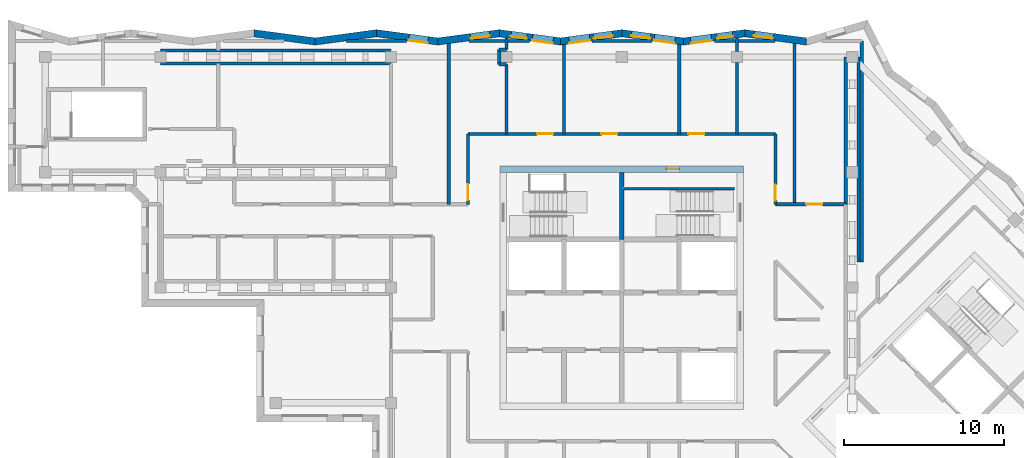
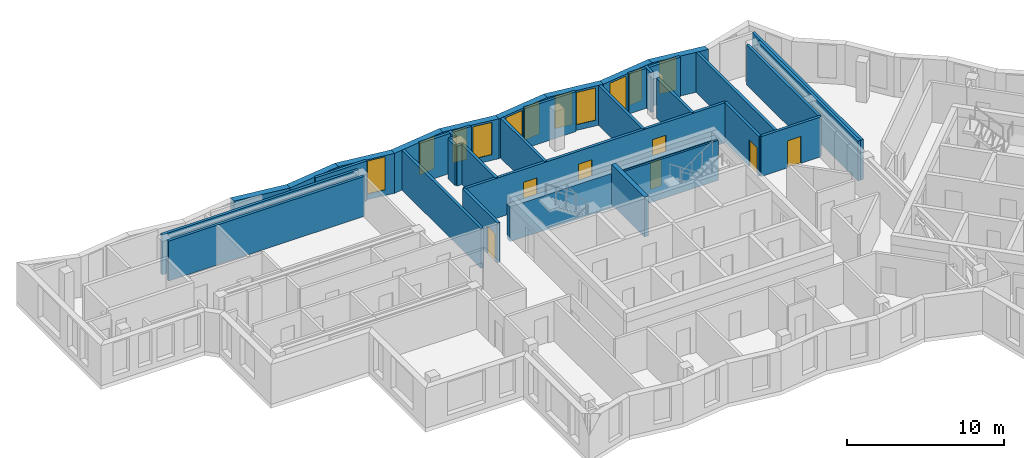
# One storey, part 7 of 12: 36 walls, 11 windows, 7 doors, 18 openings.
"""IFC4 building model written with IfcOpenShell, lengths in metres."""

from ifc_helpers import new_model, si_unit, direction, frame, frame_2d, origin, place, context, subcontext, project, spatial, polyline, rectangle, outline, extrude, material, layer, layer_set, type_object, element, fill, save


model = new_model("IFC4")

# Units and contexts
model_context = context("Model", 3, precision=1e-05, world=origin(), true_north=direction((0.0, 1.0)))
body_context = subcontext(model_context, "Body", "Model", "MODEL_VIEW")
ifc_project = project(units=[si_unit("LENGTHUNIT", "METRE"), si_unit("AREAUNIT", "SQUARE_METRE"), si_unit("VOLUMEUNIT", "CUBIC_METRE"), si_unit("PLANEANGLEUNIT", "RADIAN"), si_unit("MASSUNIT", "GRAM", prefix="KILO")], contexts=[model_context])

# Site, building, storey
site_placement = place(None, origin())
site = spatial("IfcSite", under=ifc_project, at=site_placement, CompositionType="ELEMENT")
building_placement = place(site_placement, origin())
building = spatial("IfcBuilding", under=site, at=building_placement, Name="Windrow Commons", CompositionType="ELEMENT")
storey_placement = place(building_placement, frame((0.0, 0.0, 267.6)))
storey = spatial("IfcBuildingStorey", under=building, at=storey_placement, Name="L73", CompositionType="ELEMENT", Elevation=267.6)

# Wall, opening, window
ifc_material_1 = material(Name="Brick masonry, red clay brick", Category="masonry")
ifc_layer_1 = layer(ifc_material_1, 0.45)
ifc_layer_set_1 = layer_set([ifc_layer_1], Name="Brick facade wall 450")
wall_type_1 = type_object("IfcWallType", Name="Brick facade wall 450", PredefinedType="SOLIDWALL", material=ifc_layer_set_1)
wall_1_placement = place(storey_placement, frame((76.3413, 72.9707, 0.0), z_axis=(0.0, 0.0, 1.0), x_axis=(-0.991198426, 0.1323845925, 0.0)))
wall_1 = element("IfcWall", 1, at=wall_1_placement, inside=storey, type_object=wall_type_1, Name="Brick facade wall L73 18", PredefinedType="SOLIDWALL", context=body_context, shape_type="SweptSolid", body=[
    extrude(outline(polyline([(0.0474, -0.225), (3.915, -0.225), (3.8549, 0.225), (-0.0474, 0.225), (0.0474, -0.225)])), origin(), (0.0, 0.0, 1.0), 3.1),
])
opening_1_placement = place(wall_1_placement, frame((2.1014, 0.0, 0.45)))
opening_1 = element("IfcOpeningElement", 2, at=opening_1_placement, cuts=wall_1, Name="Opening W7F", PredefinedType="OPENING", context=body_context, shape_type="SweptSolid", body=[
    extrude(rectangle(XDim=1.2, YDim=2.55, at=frame_2d((0.6, 1.275))), frame((0.0, 0.235, 0.0), z_axis=(0.0, -1.0, 0.0), x_axis=(1.0, 0.0, 0.0)), (0.0, 0.0, 1.0), 0.47),
])
ifc_material_2 = material(Name="Clear float glass in anodised aluminium frame", Category="aluminium")
window_type_1 = type_object("IfcWindowType", Name="Window W7 notch 1200x2550", PartitioningType="SINGLE_PANEL", PredefinedType="WINDOW", material=ifc_material_2)
window_1_placement = place(opening_1_placement, origin())
window_1 = element("IfcWindow", 3, at=window_1_placement, inside=storey, type_object=window_type_1, Name="Window L73 18.1", OverallHeight=2.55, OverallWidth=1.2, PartitioningType="SINGLE_PANEL", PredefinedType="WINDOW", context=body_context, shape_type="SweptSolid", body=[
    extrude(rectangle(XDim=1.2, YDim=2.55, at=frame_2d((0.6, 1.275))), frame((0.0, 0.115, 0.0), z_axis=(0.0, -1.0, 0.0), x_axis=(1.0, 0.0, 0.0)), (0.0, 0.0, 1.0), 0.06),
])
fill(opening_1, window_1)

# Wall, openings, windows
wall_2_placement = place(storey_placement, frame((72.4906, 73.485, 0.0), z_axis=(0.0, 0.0, 1.0), x_axis=(-0.9911985198, -0.13238389, 0.0)))
wall_2 = element("IfcWall", 4, at=wall_2_placement, inside=storey, type_object=wall_type_1, Name="Brick facade wall L73 19", PredefinedType="SOLIDWALL", context=body_context, shape_type="SweptSolid", body=[
    extrude(outline(polyline([(-0.0301, -0.225), (3.8375, -0.225), (3.8976, 0.225), (0.0301, 0.225), (-0.0301, -0.225)])), origin(), (0.0, 0.0, 1.0), 3.1),
])
opening_2_placement = place(wall_2_placement, frame((0.7554, 0.0, 0.45)))
opening_2 = element("IfcOpeningElement", 5, at=opening_2_placement, cuts=wall_2, Name="Opening W1S", PredefinedType="OPENING", context=body_context, shape_type="SweptSolid", body=[
    extrude(rectangle(XDim=1.0, YDim=2.5, at=frame_2d((0.5, 1.25))), frame((0.0, 0.235, 0.0), z_axis=(0.0, -1.0, 0.0), x_axis=(1.0, 0.0, 0.0)), (0.0, 0.0, 1.0), 0.47),
])
opening_3_placement = place(wall_2_placement, frame((2.1054, 0.0, 0.45)))
opening_3 = element("IfcOpeningElement", 6, at=opening_3_placement, cuts=wall_2, Name="Opening W1Q", PredefinedType="OPENING", context=body_context, shape_type="SweptSolid", body=[
    extrude(rectangle(XDim=1.3, YDim=2.5, at=frame_2d((0.65, 1.25))), frame((0.0, 0.235, 0.0), z_axis=(0.0, -1.0, 0.0), x_axis=(1.0, 0.0, 0.0)), (0.0, 0.0, 1.0), 0.47),
])
ifc_material_3 = material(Name="Clear float glass in anodised aluminium frame", Category="aluminium")
window_type_2 = type_object("IfcWindowType", Name="Window W1Q pair 1300x2500", PartitioningType="SINGLE_PANEL", PredefinedType="WINDOW", material=ifc_material_3)
window_2_placement = place(opening_3_placement, origin())
window_2 = element("IfcWindow", 7, at=window_2_placement, inside=storey, type_object=window_type_2, Name="Window L73 19.1B", OverallHeight=2.5, OverallWidth=1.3, PartitioningType="SINGLE_PANEL", PredefinedType="WINDOW", context=body_context, shape_type="SweptSolid", body=[
    extrude(rectangle(XDim=1.3, YDim=2.5, at=frame_2d((0.65, 1.25))), frame((0.0, 0.205, 0.0), z_axis=(0.0, -1.0, 0.0), x_axis=(1.0, 0.0, 0.0)), (0.0, 0.0, 1.0), 0.06),
])
fill(opening_3, window_2)
ifc_material_4 = material(Name="Clear float glass in anodised aluminium frame", Category="aluminium")
window_type_3 = type_object("IfcWindowType", Name="Window W1S slit 1000x2500", PartitioningType="SINGLE_PANEL", PredefinedType="WINDOW", material=ifc_material_4)
window_3_placement = place(opening_2_placement, origin())
window_3 = element("IfcWindow", 8, at=window_3_placement, inside=storey, type_object=window_type_3, Name="Window L73 19.1A", OverallHeight=2.5, OverallWidth=1.0, PartitioningType="SINGLE_PANEL", PredefinedType="WINDOW", context=body_context, shape_type="SweptSolid", body=[
    extrude(rectangle(XDim=1.0, YDim=2.5, at=frame_2d((0.5, 1.25))), frame((0.0, 0.115, 0.0), z_axis=(0.0, -1.0, 0.0), x_axis=(1.0, 0.0, 0.0)), (0.0, 0.0, 1.0), 0.06),
])
fill(opening_2, window_3)

wall_3_placement = place(storey_placement, frame((68.6571, 72.973, 0.0), z_axis=(0.0, 0.0, 1.0), x_axis=(-0.9911989729, 0.1323804972, 0.0)))
wall_3 = element("IfcWall", 9, at=wall_3_placement, inside=storey, type_object=wall_type_1, Name="Brick facade wall L73 20", PredefinedType="SOLIDWALL", context=body_context, shape_type="SweptSolid", body=[
    extrude(outline(polyline([(0.0301, -0.225), (3.8976, -0.225), (3.8375, 0.225), (-0.0301, 0.225), (0.0301, -0.225)])), origin(), (0.0, 0.0, 1.0), 3.1),
])
opening_4_placement = place(wall_3_placement, frame((0.5285, 0.0, 0.45)))
opening_4 = element("IfcOpeningElement", 10, at=opening_4_placement, cuts=wall_3, Name="Opening W1Q", PredefinedType="OPENING", context=body_context, shape_type="SweptSolid", body=[
    extrude(rectangle(XDim=1.3, YDim=2.5, at=frame_2d((0.65, 1.25))), frame((0.0, 0.235, 0.0), z_axis=(0.0, -1.0, 0.0), x_axis=(1.0, 0.0, 0.0)), (0.0, 0.0, 1.0), 0.47),
])
opening_5_placement = place(wall_3_placement, frame((2.0785, 0.0, 0.45)))
opening_5 = element("IfcOpeningElement", 11, at=opening_5_placement, cuts=wall_3, Name="Opening W7F", PredefinedType="OPENING", context=body_context, shape_type="SweptSolid", body=[
    extrude(rectangle(XDim=1.2, YDim=2.55, at=frame_2d((0.6, 1.275))), frame((0.0, 0.235, 0.0), z_axis=(0.0, -1.0, 0.0), x_axis=(1.0, 0.0, 0.0)), (0.0, 0.0, 1.0), 0.47),
])
window_4_placement = place(opening_4_placement, origin())
window_4 = element("IfcWindow", 12, at=window_4_placement, inside=storey, type_object=window_type_2, Name="Window L73 20.1A", OverallHeight=2.5, OverallWidth=1.3, PartitioningType="SINGLE_PANEL", PredefinedType="WINDOW", context=body_context, shape_type="SweptSolid", body=[
    extrude(rectangle(XDim=1.3, YDim=2.5, at=frame_2d((0.65, 1.25))), frame((0.0, 0.205, 0.0), z_axis=(0.0, -1.0, 0.0), x_axis=(1.0, 0.0, 0.0)), (0.0, 0.0, 1.0), 0.06),
])
fill(opening_4, window_4)
window_5_placement = place(opening_5_placement, origin())
window_5 = element("IfcWindow", 13, at=window_5_placement, inside=storey, type_object=window_type_1, Name="Window L73 20.1B", OverallHeight=2.55, OverallWidth=1.2, PartitioningType="SINGLE_PANEL", PredefinedType="WINDOW", context=body_context, shape_type="SweptSolid", body=[
    extrude(rectangle(XDim=1.2, YDim=2.55, at=frame_2d((0.6, 1.275))), frame((0.0, 0.115, 0.0), z_axis=(0.0, -1.0, 0.0), x_axis=(1.0, 0.0, 0.0)), (0.0, 0.0, 1.0), 0.06),
])
fill(opening_5, window_5)

wall_4_placement = place(storey_placement, frame((64.8235, 73.485, 0.0), z_axis=(0.0, 0.0, 1.0), x_axis=(-0.9911985198, -0.13238389, 0.0)))
wall_4 = element("IfcWall", 14, at=wall_4_placement, inside=storey, type_object=wall_type_1, Name="Brick facade wall L73 21", PredefinedType="SOLIDWALL", context=body_context, shape_type="SweptSolid", body=[
    extrude(outline(polyline([(-0.0301, -0.225), (3.8375, -0.225), (3.8976, 0.225), (0.0301, 0.225), (-0.0301, -0.225)])), origin(), (0.0, 0.0, 1.0), 3.1),
])
opening_6_placement = place(wall_4_placement, frame((0.5891, 0.0, 0.45)))
opening_6 = element("IfcOpeningElement", 15, at=opening_6_placement, cuts=wall_4, Name="Opening W7F", PredefinedType="OPENING", context=body_context, shape_type="SweptSolid", body=[
    extrude(rectangle(XDim=1.2, YDim=2.55, at=frame_2d((0.6, 1.275))), frame((0.0, 0.235, 0.0), z_axis=(0.0, -1.0, 0.0), x_axis=(1.0, 0.0, 0.0)), (0.0, 0.0, 1.0), 0.47),
])
opening_7_placement = place(wall_4_placement, frame((2.0391, 0.0, 0.45)))
opening_7 = element("IfcOpeningElement", 16, at=opening_7_placement, cuts=wall_4, Name="Opening W1Q", PredefinedType="OPENING", context=body_context, shape_type="SweptSolid", body=[
    extrude(rectangle(XDim=1.3, YDim=2.5, at=frame_2d((0.65, 1.25))), frame((0.0, 0.235, 0.0), z_axis=(0.0, -1.0, 0.0), x_axis=(1.0, 0.0, 0.0)), (0.0, 0.0, 1.0), 0.47),
])
window_6_placement = place(opening_7_placement, origin())
window_6 = element("IfcWindow", 17, at=window_6_placement, inside=storey, type_object=window_type_2, Name="Window L73 21.1B", OverallHeight=2.5, OverallWidth=1.3, PartitioningType="SINGLE_PANEL", PredefinedType="WINDOW", context=body_context, shape_type="SweptSolid", body=[
    extrude(rectangle(XDim=1.3, YDim=2.5, at=frame_2d((0.65, 1.25))), frame((0.0, 0.205, 0.0), z_axis=(0.0, -1.0, 0.0), x_axis=(1.0, 0.0, 0.0)), (0.0, 0.0, 1.0), 0.06),
])
fill(opening_7, window_6)
window_7_placement = place(opening_6_placement, origin())
window_7 = element("IfcWindow", 18, at=window_7_placement, inside=storey, type_object=window_type_1, Name="Window L73 21.1A", OverallHeight=2.55, OverallWidth=1.2, PartitioningType="SINGLE_PANEL", PredefinedType="WINDOW", context=body_context, shape_type="SweptSolid", body=[
    extrude(rectangle(XDim=1.2, YDim=2.55, at=frame_2d((0.6, 1.275))), frame((0.0, 0.115, 0.0), z_axis=(0.0, -1.0, 0.0), x_axis=(1.0, 0.0, 0.0)), (0.0, 0.0, 1.0), 0.06),
])
fill(opening_6, window_7)

wall_5_placement = place(storey_placement, frame((60.99, 72.973, 0.0), z_axis=(0.0, 0.0, 1.0), x_axis=(-0.9911989729, 0.1323804972, 0.0)))
wall_5 = element("IfcWall", 19, at=wall_5_placement, inside=storey, type_object=wall_type_1, Name="Brick facade wall L73 22", PredefinedType="SOLIDWALL", context=body_context, shape_type="SweptSolid", body=[
    extrude(outline(polyline([(0.0301, -0.225), (3.8976, -0.225), (3.8375, 0.225), (-0.0301, 0.225), (0.0301, -0.225)])), origin(), (0.0, 0.0, 1.0), 3.1),
])
opening_8_placement = place(wall_5_placement, frame((0.4741, 0.0, 0.45)))
opening_8 = element("IfcOpeningElement", 20, at=opening_8_placement, cuts=wall_5, Name="Opening W1Q", PredefinedType="OPENING", context=body_context, shape_type="SweptSolid", body=[
    extrude(rectangle(XDim=1.3, YDim=2.5, at=frame_2d((0.65, 1.25))), frame((0.0, 0.235, 0.0), z_axis=(0.0, -1.0, 0.0), x_axis=(1.0, 0.0, 0.0)), (0.0, 0.0, 1.0), 0.47),
])
opening_9_placement = place(wall_5_placement, frame((2.1241, 0.0, 0.45)))
opening_9 = element("IfcOpeningElement", 21, at=opening_9_placement, cuts=wall_5, Name="Opening W1S", PredefinedType="OPENING", context=body_context, shape_type="SweptSolid", body=[
    extrude(rectangle(XDim=1.0, YDim=2.5, at=frame_2d((0.5, 1.25))), frame((0.0, 0.235, 0.0), z_axis=(0.0, -1.0, 0.0), x_axis=(1.0, 0.0, 0.0)), (0.0, 0.0, 1.0), 0.47),
])
window_8_placement = place(opening_8_placement, origin())
window_8 = element("IfcWindow", 22, at=window_8_placement, inside=storey, type_object=window_type_2, Name="Window L73 22.1A", OverallHeight=2.5, OverallWidth=1.3, PartitioningType="SINGLE_PANEL", PredefinedType="WINDOW", context=body_context, shape_type="SweptSolid", body=[
    extrude(rectangle(XDim=1.3, YDim=2.5, at=frame_2d((0.65, 1.25))), frame((0.0, 0.205, 0.0), z_axis=(0.0, -1.0, 0.0), x_axis=(1.0, 0.0, 0.0)), (0.0, 0.0, 1.0), 0.06),
])
fill(opening_8, window_8)
window_9_placement = place(opening_9_placement, origin())
window_9 = element("IfcWindow", 23, at=window_9_placement, inside=storey, type_object=window_type_3, Name="Window L73 22.1B", OverallHeight=2.5, OverallWidth=1.0, PartitioningType="SINGLE_PANEL", PredefinedType="WINDOW", context=body_context, shape_type="SweptSolid", body=[
    extrude(rectangle(XDim=1.0, YDim=2.5, at=frame_2d((0.5, 1.25))), frame((0.0, 0.125, 0.0), z_axis=(0.0, -1.0, 0.0), x_axis=(1.0, 0.0, 0.0)), (0.0, 0.0, 1.0), 0.06),
])
fill(opening_9, window_9)

# Wall, opening, window
wall_6_placement = place(storey_placement, frame((57.1564, 73.485, 0.0), z_axis=(0.0, 0.0, 1.0), x_axis=(-0.9911985198, -0.13238389, 0.0)))
wall_6 = element("IfcWall", 24, at=wall_6_placement, inside=storey, type_object=wall_type_1, Name="Brick facade wall L73 23", PredefinedType="SOLIDWALL", context=body_context, shape_type="SweptSolid", body=[
    extrude(outline(polyline([(-0.0301, -0.225), (3.8375, -0.225), (3.8976, 0.225), (0.0301, 0.225), (-0.0301, -0.225)])), origin(), (0.0, 0.0, 1.0), 3.1),
])
opening_10_placement = place(wall_6_placement, frame((0.6072, 0.0, 0.45)))
opening_10 = element("IfcOpeningElement", 25, at=opening_10_placement, cuts=wall_6, Name="Opening W7F", PredefinedType="OPENING", context=body_context, shape_type="SweptSolid", body=[
    extrude(rectangle(XDim=1.2, YDim=2.55, at=frame_2d((0.6, 1.275))), frame((0.0, 0.235, 0.0), z_axis=(0.0, -1.0, 0.0), x_axis=(1.0, 0.0, 0.0)), (0.0, 0.0, 1.0), 0.47),
])
window_10_placement = place(opening_10_placement, origin())
window_10 = element("IfcWindow", 26, at=window_10_placement, inside=storey, type_object=window_type_1, Name="Window L73 23.1", OverallHeight=2.55, OverallWidth=1.2, PartitioningType="SINGLE_PANEL", PredefinedType="WINDOW", context=body_context, shape_type="SweptSolid", body=[
    extrude(rectangle(XDim=1.2, YDim=2.55, at=frame_2d((0.6, 1.275))), frame((0.0, 0.115, 0.0), z_axis=(0.0, -1.0, 0.0), x_axis=(1.0, 0.0, 0.0)), (0.0, 0.0, 1.0), 0.06),
])
fill(opening_10, window_10)

wall_7_placement = place(storey_placement, frame((53.3229, 72.973, 0.0), z_axis=(0.0, 0.0, 1.0), x_axis=(-0.9911989729, 0.1323804972, 0.0)))
wall_7 = element("IfcWall", 27, at=wall_7_placement, inside=storey, type_object=wall_type_1, Name="Brick facade wall L73 24", PredefinedType="SOLIDWALL", context=body_context, shape_type="SweptSolid", body=[
    extrude(outline(polyline([(0.0301, -0.225), (3.8976, -0.225), (3.8375, 0.225), (-0.0301, 0.225), (0.0301, -0.225)])), origin(), (0.0, 0.0, 1.0), 3.1),
])
opening_11_placement = place(wall_7_placement, frame((0.6244, 0.0, 0.45)))
opening_11 = element("IfcOpeningElement", 28, at=opening_11_placement, cuts=wall_7, Name="Opening W7F", PredefinedType="OPENING", context=body_context, shape_type="SweptSolid", body=[
    extrude(rectangle(XDim=1.2, YDim=2.55, at=frame_2d((0.6, 1.275))), frame((0.0, 0.235, 0.0), z_axis=(0.0, -1.0, 0.0), x_axis=(1.0, 0.0, 0.0)), (0.0, 0.0, 1.0), 0.47),
])
window_11_placement = place(opening_11_placement, origin())
window_11 = element("IfcWindow", 29, at=window_11_placement, inside=storey, type_object=window_type_1, Name="Window L73 24.1", OverallHeight=2.55, OverallWidth=1.2, PartitioningType="SINGLE_PANEL", PredefinedType="WINDOW", context=body_context, shape_type="SweptSolid", body=[
    extrude(rectangle(XDim=1.2, YDim=2.55, at=frame_2d((0.6, 1.275))), frame((0.0, 0.205, 0.0), z_axis=(0.0, -1.0, 0.0), x_axis=(1.0, 0.0, 0.0)), (0.0, 0.0, 1.0), 0.06),
])
fill(opening_11, window_11)

# Walls
wall_8_placement = place(storey_placement, frame((49.4893, 73.485, 0.0), z_axis=(0.0, 0.0, 1.0), x_axis=(-0.9911985198, -0.13238389, 0.0)))
element("IfcWall", 30, at=wall_8_placement, inside=storey, type_object=wall_type_1, Name="Brick facade wall L73 25", PredefinedType="SOLIDWALL", context=body_context, shape_type="SweptSolid", body=[
    extrude(outline(polyline([(-0.0301, -0.225), (3.8375, -0.225), (3.8976, 0.225), (0.0301, 0.225), (-0.0301, -0.225)])), origin(), (0.0, 0.0, 1.0), 3.1),
])
wall_9_placement = place(storey_placement, frame((45.6558, 72.973, 0.0), z_axis=(0.0, 0.0, 1.0), x_axis=(-0.9911989729, 0.1323804972, 0.0)))
element("IfcWall", 31, at=wall_9_placement, inside=storey, type_object=wall_type_1, Name="Brick facade wall L73 26", PredefinedType="SOLIDWALL", context=body_context, shape_type="SweptSolid", body=[
    extrude(outline(polyline([(0.0301, -0.225), (3.8976, -0.225), (3.8375, 0.225), (-0.0301, 0.225), (0.0301, -0.225)])), origin(), (0.0, 0.0, 1.0), 3.1),
])

# Wall, openings, doors
ifc_material_5 = material(Name="Blockwork partition", Category="masonry")
ifc_layer_2 = layer(ifc_material_5, 0.2)
ifc_layer_set_2 = layer_set([ifc_layer_2], Name="IW-CORRIDOR-200")
wall_type_2 = type_object("IfcWallType", Name="IW-CORRIDOR-200", PredefinedType="PARTITIONING", material=ifc_layer_set_2)
wall_10_placement = place(storey_placement, frame((55.2, 67.2, 0.0), z_axis=(0.0, 0.0, 1.0), x_axis=(1.0, 0.0, 0.0)))
wall_10 = element("IfcWall", 32, at=wall_10_placement, inside=storey, type_object=wall_type_2, Name="W-L73-W000", PredefinedType="PARTITIONING", context=body_context, shape_type="SweptSolid", body=[
    extrude(rectangle(XDim=19.2, YDim=0.2, at=frame_2d((9.6, 0.0))), origin(), (0.0, 0.0, 1.0), 3.1),
])
opening_12_placement = place(wall_10_placement, frame((4.32, 0.0, 0.0)))
opening_12 = element("IfcOpeningElement", 33, at=opening_12_placement, cuts=wall_10, Name="Opening D310F", PredefinedType="OPENING", context=body_context, shape_type="SweptSolid", body=[
    extrude(rectangle(XDim=1.0, YDim=2.1, at=frame_2d((0.5, 1.05))), frame((0.0, 0.11, 0.0), z_axis=(0.0, -1.0, 0.0), x_axis=(1.0, 0.0, 0.0)), (0.0, 0.0, 1.0), 0.22),
])
opening_13_placement = place(wall_10_placement, frame((8.3375, 0.0, 0.0)))
opening_13 = element("IfcOpeningElement", 34, at=opening_13_placement, cuts=wall_10, Name="Opening D310F", PredefinedType="OPENING", context=body_context, shape_type="SweptSolid", body=[
    extrude(rectangle(XDim=1.0, YDim=2.1, at=frame_2d((0.5, 1.05))), frame((0.0, 0.11, 0.0), z_axis=(0.0, -1.0, 0.0), x_axis=(1.0, 0.0, 0.0)), (0.0, 0.0, 1.0), 0.22),
])
opening_14_placement = place(wall_10_placement, frame((13.7675, 0.0, 0.0)))
opening_14 = element("IfcOpeningElement", 35, at=opening_14_placement, cuts=wall_10, Name="Opening D310F", PredefinedType="OPENING", context=body_context, shape_type="SweptSolid", body=[
    extrude(rectangle(XDim=1.0, YDim=2.1, at=frame_2d((0.5, 1.05))), frame((0.0, 0.11, 0.0), z_axis=(0.0, -1.0, 0.0), x_axis=(1.0, 0.0, 0.0)), (0.0, 0.0, 1.0), 0.22),
])
ifc_material_6 = material(Name="Timber door leaf", Category="wood")
door_type_1 = type_object("IfcDoorType", Name="DT-AMENITY-1000", OperationType="SINGLE_SWING_LEFT", PredefinedType="DOOR", material=ifc_material_6)
door_1_placement = place(opening_12_placement, origin())
door_1 = element("IfcDoor", 36, at=door_1_placement, inside=storey, type_object=door_type_1, Name="D-L73-D023", OperationType="SINGLE_SWING_RIGHT", OverallHeight=2.1, OverallWidth=1.0, PredefinedType="DOOR", context=body_context, shape_type="SweptSolid", body=[
    extrude(rectangle(XDim=1.0, YDim=2.1, at=frame_2d((0.5, 1.05))), frame((0.0, 0.025, 0.0), z_axis=(0.0, -1.0, 0.0), x_axis=(1.0, 0.0, 0.0)), (0.0, 0.0, 1.0), 0.05),
])
fill(opening_12, door_1)
door_2_placement = place(opening_13_placement, origin())
door_2 = element("IfcDoor", 37, at=door_2_placement, inside=storey, type_object=door_type_1, Name="D-L73-D024", OperationType="SINGLE_SWING_LEFT", OverallHeight=2.1, OverallWidth=1.0, PredefinedType="DOOR", context=body_context, shape_type="SweptSolid", body=[
    extrude(rectangle(XDim=1.0, YDim=2.1, at=frame_2d((0.5, 1.05))), frame((0.0, 0.025, 0.0), z_axis=(0.0, -1.0, 0.0), x_axis=(1.0, 0.0, 0.0)), (0.0, 0.0, 1.0), 0.05),
])
fill(opening_13, door_2)
door_3_placement = place(opening_14_placement, origin())
door_3 = element("IfcDoor", 38, at=door_3_placement, inside=storey, type_object=door_type_1, Name="D-L73-D025", OperationType="SINGLE_SWING_LEFT", OverallHeight=2.1, OverallWidth=1.0, PredefinedType="DOOR", context=body_context, shape_type="SweptSolid", body=[
    extrude(rectangle(XDim=1.0, YDim=2.1, at=frame_2d((0.5, 1.05))), frame((0.0, 0.025, 0.0), z_axis=(0.0, -1.0, 0.0), x_axis=(1.0, 0.0, 0.0)), (0.0, 0.0, 1.0), 0.05),
])
fill(opening_14, door_3)

# Wall, opening, door
wall_11_placement = place(storey_placement, frame((55.2, 62.802, 0.0), z_axis=(0.0, 0.0, 1.0), x_axis=(0.0, 1.0, 0.0)))
wall_11 = element("IfcWall", 39, at=wall_11_placement, inside=storey, type_object=wall_type_2, Name="W-L73-W043", PredefinedType="PARTITIONING", context=body_context, shape_type="SweptSolid", body=[
    extrude(rectangle(XDim=4.398, YDim=0.2, at=frame_2d((2.199, 0.0))), origin(), (0.0, 0.0, 1.0), 3.1),
])
opening_15_placement = place(wall_11_placement, frame((0.2602, 0.0, 0.0)))
opening_15 = element("IfcOpeningElement", 40, at=opening_15_placement, cuts=wall_11, Name="Opening D310F", PredefinedType="OPENING", context=body_context, shape_type="SweptSolid", body=[
    extrude(rectangle(XDim=1.0, YDim=2.1, at=frame_2d((0.5, 1.05))), frame((0.0, 0.11, 0.0), z_axis=(0.0, -1.0, 0.0), x_axis=(1.0, 0.0, 0.0)), (0.0, 0.0, 1.0), 0.22),
])
door_4_placement = place(opening_15_placement, origin())
door_4 = element("IfcDoor", 41, at=door_4_placement, inside=storey, type_object=door_type_1, Name="D-L73-D021", OperationType="SINGLE_SWING_LEFT", OverallHeight=2.1, OverallWidth=1.0, PredefinedType="DOOR", context=body_context, shape_type="SweptSolid", body=[
    extrude(rectangle(XDim=1.0, YDim=2.1, at=frame_2d((0.5, 1.05))), frame((0.0, 0.025, 0.0), z_axis=(0.0, -1.0, 0.0), x_axis=(1.0, 0.0, 0.0)), (0.0, 0.0, 1.0), 0.05),
])
fill(opening_15, door_4)

wall_12_placement = place(storey_placement, frame((74.4, 62.802, 0.0), z_axis=(0.0, 0.0, 1.0), x_axis=(0.0, 1.0, 0.0)))
wall_12 = element("IfcWall", 42, at=wall_12_placement, inside=storey, type_object=wall_type_2, Name="W-L73-W044", PredefinedType="PARTITIONING", context=body_context, shape_type="SweptSolid", body=[
    extrude(rectangle(XDim=4.398, YDim=0.2, at=frame_2d((2.199, 0.0))), origin(), (0.0, 0.0, 1.0), 3.1),
])
opening_16_placement = place(wall_12_placement, frame((0.2266, 0.0, 0.0)))
opening_16 = element("IfcOpeningElement", 43, at=opening_16_placement, cuts=wall_12, Name="Opening D310F", PredefinedType="OPENING", context=body_context, shape_type="SweptSolid", body=[
    extrude(rectangle(XDim=1.0, YDim=2.1, at=frame_2d((0.5, 1.05))), frame((0.0, 0.11, 0.0), z_axis=(0.0, -1.0, 0.0), x_axis=(1.0, 0.0, 0.0)), (0.0, 0.0, 1.0), 0.22),
])
door_5_placement = place(opening_16_placement, origin())
door_5 = element("IfcDoor", 44, at=door_5_placement, inside=storey, type_object=door_type_1, Name="D-L73-D022", OperationType="SINGLE_SWING_RIGHT", OverallHeight=2.1, OverallWidth=1.0, PredefinedType="DOOR", context=body_context, shape_type="SweptSolid", body=[
    extrude(rectangle(XDim=1.0, YDim=2.1, at=frame_2d((0.5, 1.05))), frame((0.0, 0.025, 0.0), z_axis=(0.0, -1.0, 0.0), x_axis=(1.0, 0.0, 0.0)), (0.0, 0.0, 1.0), 0.05),
])
fill(opening_16, door_5)

wall_13_placement = place(storey_placement, frame((74.402, 62.8, 0.0), z_axis=(0.0, 0.0, 1.0), x_axis=(1.0, 0.0, 0.0)))
wall_13 = element("IfcWall", 45, at=wall_13_placement, inside=storey, type_object=wall_type_2, Name="W-L73-W045", PredefinedType="PARTITIONING", context=body_context, shape_type="SweptSolid", body=[
    extrude(rectangle(XDim=4.398, YDim=0.2, at=frame_2d((2.199, 0.0))), origin(), (0.0, 0.0, 1.0), 3.1),
])
opening_17_placement = place(wall_13_placement, frame((1.9399, 0.0, 0.0)))
opening_17 = element("IfcOpeningElement", 46, at=opening_17_placement, cuts=wall_13, Name="Opening D310F", PredefinedType="OPENING", context=body_context, shape_type="SweptSolid", body=[
    extrude(rectangle(XDim=1.0, YDim=2.1, at=frame_2d((0.5, 1.05))), frame((0.0, 0.11, 0.0), z_axis=(0.0, -1.0, 0.0), x_axis=(1.0, 0.0, 0.0)), (0.0, 0.0, 1.0), 0.22),
])
door_6_placement = place(opening_17_placement, origin())
door_6 = element("IfcDoor", 47, at=door_6_placement, inside=storey, type_object=door_type_1, Name="D-L73-D026", OperationType="SINGLE_SWING_LEFT", OverallHeight=2.1, OverallWidth=1.0, PredefinedType="DOOR", context=body_context, shape_type="SweptSolid", body=[
    extrude(rectangle(XDim=1.0, YDim=2.1, at=frame_2d((0.5, 1.05))), frame((0.0, 0.025, 0.0), z_axis=(0.0, -1.0, 0.0), x_axis=(1.0, 0.0, 0.0)), (0.0, 0.0, 1.0), 0.05),
])
fill(opening_17, door_6)

# Walls
ifc_material_7 = material(Name="Blockwork partition", Category="masonry")
ifc_layer_3 = layer(ifc_material_7, 0.2)
ifc_layer_set_3 = layer_set([ifc_layer_3], Name="IW-PARTY-200")
wall_type_3 = type_object("IfcWallType", Name="IW-PARTY-200", PredefinedType="PARTITIONING", material=ifc_layer_set_3)
wall_14_placement = place(storey_placement, frame((36.002, 71.6, 0.0), z_axis=(0.0, 0.0, 1.0), x_axis=(1.0, 0.0, 0.0)))
element("IfcWall", 48, at=wall_14_placement, inside=storey, type_object=wall_type_3, Name="W-L73-W005", PredefinedType="PARTITIONING", context=body_context, shape_type="SweptSolid", body=[
    extrude(rectangle(XDim=14.398, YDim=0.2, at=frame_2d((7.199, 0.0))), origin(), (0.0, 0.0, 1.0), 3.1),
])
wall_15_placement = place(storey_placement, frame((36.002, 72.4, 0.0), z_axis=(0.0, 0.0, 1.0), x_axis=(1.0, 0.0, 0.0)))
element("IfcWall", 49, at=wall_15_placement, inside=storey, type_object=wall_type_3, Name="W-L73-W006", PredefinedType="PARTITIONING", context=body_context, shape_type="SweptSolid", body=[
    extrude(rectangle(XDim=14.396, YDim=0.2, at=frame_2d((7.198, 0.0))), origin(), (0.0, 0.0, 1.0), 3.1),
])
wall_16_placement = place(storey_placement, frame((79.8, 59.2, 0.0), z_axis=(0.0, 0.0, 1.0), x_axis=(0.0, 1.0, 0.0)))
element("IfcWall", 50, at=wall_16_placement, inside=storey, type_object=wall_type_3, Name="W-L73-W007", PredefinedType="PARTITIONING", context=body_context, shape_type="SweptSolid", body=[
    extrude(rectangle(XDim=13.8, YDim=0.2, at=frame_2d((6.9, 0.0))), origin(), (0.0, 0.0, 1.0), 3.1),
])
wall_17_placement = place(storey_placement, frame((79.6, 59.2, 0.0), z_axis=(0.0, 0.0, 1.0), x_axis=(0.0, 1.0, 0.0)))
element("IfcWall", 51, at=wall_17_placement, inside=storey, type_object=wall_type_3, Name="W-L73-W008", PredefinedType="PARTITIONING", context=body_context, shape_type="SweptSolid", body=[
    extrude(rectangle(XDim=12.8, YDim=0.2, at=frame_2d((6.4, 0.0))), origin(), (0.0, 0.0, 1.0), 3.1),
])
wall_18_placement = place(storey_placement, frame((75.6, 62.8, 0.0), z_axis=(0.0, 0.0, 1.0), x_axis=(0.0, 1.0, 0.0)))
element("IfcWall", 52, at=wall_18_placement, inside=storey, type_object=wall_type_3, Name="W-L73-W012", PredefinedType="PARTITIONING", context=body_context, shape_type="SweptSolid", body=[
    extrude(rectangle(XDim=10.0427, YDim=0.2, at=frame_2d((5.0213, 0.0))), origin(), (0.0, 0.0, 1.0), 3.1),
])
wall_19_placement = place(storey_placement, frame((54.0, 62.8, 0.0), z_axis=(0.0, 0.0, 1.0), x_axis=(0.0, 1.0, 0.0)))
element("IfcWall", 53, at=wall_19_placement, inside=storey, type_object=wall_type_3, Name="W-L73-W013", PredefinedType="PARTITIONING", context=body_context, shape_type="SweptSolid", body=[
    extrude(rectangle(XDim=10.0364, YDim=0.2, at=frame_2d((5.0182, 0.0))), origin(), (0.0, 0.0, 1.0), 3.1),
])
wall_20_placement = place(storey_placement, frame((78.8, 62.8, 0.0), z_axis=(0.0, 0.0, 1.0), x_axis=(0.0, 1.0, 0.0)))
element("IfcWall", 54, at=wall_20_placement, inside=storey, type_object=wall_type_3, Name="W-L73-W018", PredefinedType="PARTITIONING", context=body_context, shape_type="SweptSolid", body=[
    extrude(rectangle(XDim=9.2, YDim=0.2, at=frame_2d((4.6, 0.0))), origin(), (0.0, 0.0, 1.0), 3.1),
])
wall_21_placement = place(storey_placement, frame((68.4, 67.2, 0.0), z_axis=(0.0, 0.0, 1.0), x_axis=(0.0, 1.0, 0.0)))
element("IfcWall", 55, at=wall_21_placement, inside=storey, type_object=wall_type_3, Name="W-L73-W030", PredefinedType="PARTITIONING", context=body_context, shape_type="SweptSolid", body=[
    extrude(rectangle(XDim=5.5803, YDim=0.2, at=frame_2d((2.7902, 0.0))), origin(), (0.0, 0.0, 1.0), 3.1),
])
wall_22_placement = place(storey_placement, frame((61.2, 67.2, 0.0), z_axis=(0.0, 0.0, 1.0), x_axis=(0.0, 1.0, 0.0)))
element("IfcWall", 56, at=wall_22_placement, inside=storey, type_object=wall_type_3, Name="W-L73-W031", PredefinedType="PARTITIONING", context=body_context, shape_type="SweptSolid", body=[
    extrude(rectangle(XDim=5.5741, YDim=0.2, at=frame_2d((2.787, 0.0))), origin(), (0.0, 0.0, 1.0), 3.1),
])
wall_23_placement = place(storey_placement, frame((72.0, 67.2, 0.0), z_axis=(0.0, 0.0, 1.0), x_axis=(0.0, 1.0, 0.0)))
element("IfcWall", 57, at=wall_23_placement, inside=storey, type_object=wall_type_3, Name="W-L73-W042", PredefinedType="PARTITIONING", context=body_context, shape_type="SweptSolid", body=[
    extrude(rectangle(XDim=4.45, YDim=0.2, at=frame_2d((2.225, 0.0))), origin(), (0.0, 0.0, 1.0), 3.1),
])
wall_24_placement = place(storey_placement, frame((57.6, 67.2, 0.0), z_axis=(0.0, 0.0, 1.0), x_axis=(0.0, 1.0, 0.0)))
element("IfcWall", 58, at=wall_24_placement, inside=storey, type_object=wall_type_3, Name="W-L73-W046", PredefinedType="PARTITIONING", context=body_context, shape_type="SweptSolid", body=[
    extrude(rectangle(XDim=4.346, YDim=0.2, at=frame_2d((2.173, 0.0))), origin(), (0.0, 0.0, 1.0), 3.1),
])
for number, where, z_axis, x_axis, name in (
    (59, (70.6088, 73.0, 0.0), (0.0, 0.0, 1.0), (1.0, 0.0, 0.0), "W-L73-W050"),
    (60, (47.6075, 73.0, 0.0), (0.0, 0.0, 1.0), (1.0, 0.0, 0.0), "W-L73-W053"),
    (61, (55.2746, 73.0, 0.0), (0.0, 0.0, 1.0), (1.0, 0.0, 0.0), "W-L73-W054"),
    (62, (62.9417, 73.0, 0.0), (0.0, 0.0, 1.0), (1.0, 0.0, 0.0), "W-L73-W055"),
):
    element("IfcWall", number, at=place(storey_placement, frame(where, z_axis=z_axis, x_axis=x_axis)), inside=storey, type_object=wall_type_3, Name=name, PredefinedType="PARTITIONING", context=body_context, shape_type="SweptSolid", body=[
        extrude(rectangle(XDim=3.7636, YDim=0.2, at=frame_2d((1.8818, 0.0))), origin(), (0.0, 0.0, 1.0), 3.1),
    ])
wall_25_placement = place(storey_placement, frame((57.15, 71.546, 0.0), z_axis=(0.0, 0.0, 1.0), x_axis=(0.0, 1.0, 0.0)))
element("IfcWall", 63, at=wall_25_placement, inside=storey, type_object=wall_type_3, Name="W-L73-W115", PredefinedType="PARTITIONING", context=body_context, shape_type="SweptSolid", body=[
    extrude(rectangle(XDim=0.908, YDim=0.2, at=frame_2d((0.454, 0.0))), origin(), (0.0, 0.0, 1.0), 3.1),
])
wall_26_placement = place(storey_placement, frame((72.0, 72.35, 0.0), z_axis=(0.0, 0.0, 1.0), x_axis=(0.0, 1.0, 0.0)))
element("IfcWall", 64, at=wall_26_placement, inside=storey, type_object=wall_type_3, Name="W-L73-W130", PredefinedType="PARTITIONING", context=body_context, shape_type="SweptSolid", body=[
    extrude(rectangle(XDim=0.8425, YDim=0.2, at=frame_2d((0.4213, 0.0))), origin(), (0.0, 0.0, 1.0), 3.1),
])
wall_27_placement = place(storey_placement, frame((57.6, 72.454, 0.0), z_axis=(0.0, 0.0, 1.0), x_axis=(0.0, 1.0, 0.0)))
element("IfcWall", 65, at=wall_27_placement, inside=storey, type_object=wall_type_3, Name="W-L73-W132", PredefinedType="PARTITIONING", context=body_context, shape_type="SweptSolid", body=[
    extrude(rectangle(XDim=0.7448, YDim=0.2, at=frame_2d((0.3724, 0.0))), origin(), (0.0, 0.0, 1.0), 3.1),
])
for number, where, z_axis, x_axis, name in (
    (66, (57.15, 72.45, 0.0), (0.0, 0.0, 1.0), (1.0, 0.0, 0.0), "W-L73-W136"),
    (67, (57.15, 71.55, 0.0), (0.0, 0.0, 1.0), (1.0, 0.0, 0.0), "W-L73-W137"),
):
    element("IfcWall", number, at=place(storey_placement, frame(where, z_axis=z_axis, x_axis=x_axis)), inside=storey, type_object=wall_type_3, Name=name, PredefinedType="PARTITIONING", context=body_context, shape_type="SweptSolid", body=[
        extrude(rectangle(XDim=0.45, YDim=0.2, at=frame_2d((0.225, 0.0))), origin(), (0.0, 0.0, 1.0), 3.1),
    ])

# Wall, opening, door
ifc_material_8 = material(Name="Concrete C40/50", Category="concrete")
ifc_layer_4 = layer(ifc_material_8, 0.4)
ifc_layer_set_4 = layer_set([ifc_layer_4], Name="RC CORE WALL 400 C40/50")
wall_type_4 = type_object("IfcWallType", Name="RC CORE WALL 400 C40/50", PredefinedType="SHEAR", material=ifc_layer_set_4)
wall_28_placement = place(storey_placement, frame((57.2, 65.0, -0.3), z_axis=(0.0, 0.0, 1.0), x_axis=(1.0, 0.0, 0.0)))
wall_28 = element("IfcWall", 68, at=wall_28_placement, inside=storey, type_object=wall_type_4, Name="Core A wall outer-N", PredefinedType="SHEAR", context=body_context, shape_type="SweptSolid", body=[
    extrude(rectangle(XDim=15.2, YDim=0.4, at=frame_2d((7.6, 0.0))), origin(), (0.0, 0.0, 1.0), 2.7),
])
opening_18_placement = place(wall_28_placement, frame((10.4, 0.0, 0.3)))
opening_18 = element("IfcOpeningElement", 69, at=opening_18_placement, cuts=wall_28, Name="Opening D9", PredefinedType="OPENING", context=body_context, shape_type="SweptSolid", body=[
    extrude(rectangle(XDim=0.8, YDim=2.1, at=frame_2d((0.4, 1.05))), frame((0.0, 0.21, 0.0), z_axis=(0.0, -1.0, 0.0), x_axis=(1.0, 0.0, 0.0)), (0.0, 0.0, 1.0), 0.42),
])
ifc_material_9 = material(Name="Steel fire door leaf", Category="steel")
door_type_2 = type_object("IfcDoorType", Name="Riser access door 800", OperationType="SINGLE_SWING_LEFT", PredefinedType="DOOR", material=ifc_material_9)
door_7_placement = place(opening_18_placement, origin())
door_7 = element("IfcDoor", 70, at=door_7_placement, inside=storey, type_object=door_type_2, Name="Riser access door", OperationType="SINGLE_SWING_RIGHT", OverallHeight=2.1, OverallWidth=0.8, PredefinedType="DOOR", context=body_context, shape_type="SweptSolid", body=[
    extrude(rectangle(XDim=0.8, YDim=2.1, at=frame_2d((0.4, 1.05))), frame((0.0, 0.025, 0.0), z_axis=(0.0, -1.0, 0.0), x_axis=(1.0, 0.0, 0.0)), (0.0, 0.0, 1.0), 0.05),
])
fill(opening_18, door_7)

# Walls
ifc_material_10 = material(Name="Concrete C40/50", Category="concrete")
ifc_layer_5 = layer(ifc_material_10, 0.3)
ifc_layer_set_5 = layer_set([ifc_layer_5], Name="RC SHAFT WALL 300 C40/50")
wall_type_5 = type_object("IfcWallType", Name="RC SHAFT WALL 300 C40/50", PredefinedType="SOLIDWALL", material=ifc_layer_set_5)
wall_29_placement = place(storey_placement, frame((64.8, 60.6, 0.0), z_axis=(0.0, 0.0, 1.0), x_axis=(0.0, 1.0, 0.0)))
element("IfcWall", 71, at=wall_29_placement, inside=storey, type_object=wall_type_5, Name="Core A wall stair-mid", PredefinedType="SOLIDWALL", context=body_context, shape_type="SweptSolid", body=[
    extrude(rectangle(XDim=4.2, YDim=0.3, at=frame_2d((2.1, 0.0))), origin(), (0.0, 0.0, 1.0), 3.1),
])
ifc_material_11 = material(Name="Blockwork partition", Category="masonry")
ifc_layer_6 = layer(ifc_material_11, 0.15)
ifc_layer_set_6 = layer_set([ifc_layer_6], Name="Riser partition 150")
wall_type_6 = type_object("IfcWallType", Name="Riser partition 150", PredefinedType="PARTITIONING", material=ifc_layer_set_6)
wall_30_placement = place(storey_placement, frame((64.95, 63.78, 0.0), z_axis=(0.0, 0.0, 1.0), x_axis=(1.0, 0.0, 0.0)))
element("IfcWall", 72, at=wall_30_placement, inside=storey, type_object=wall_type_6, Name="W-core-strip-A-L73", PredefinedType="PARTITIONING", context=body_context, shape_type="SweptSolid", body=[
    extrude(rectangle(XDim=6.9, YDim=0.15, at=frame_2d((3.45, 0.0))), origin(), (0.0, 0.0, 1.0), 3.1),
])

save(model, "model.ifc")
